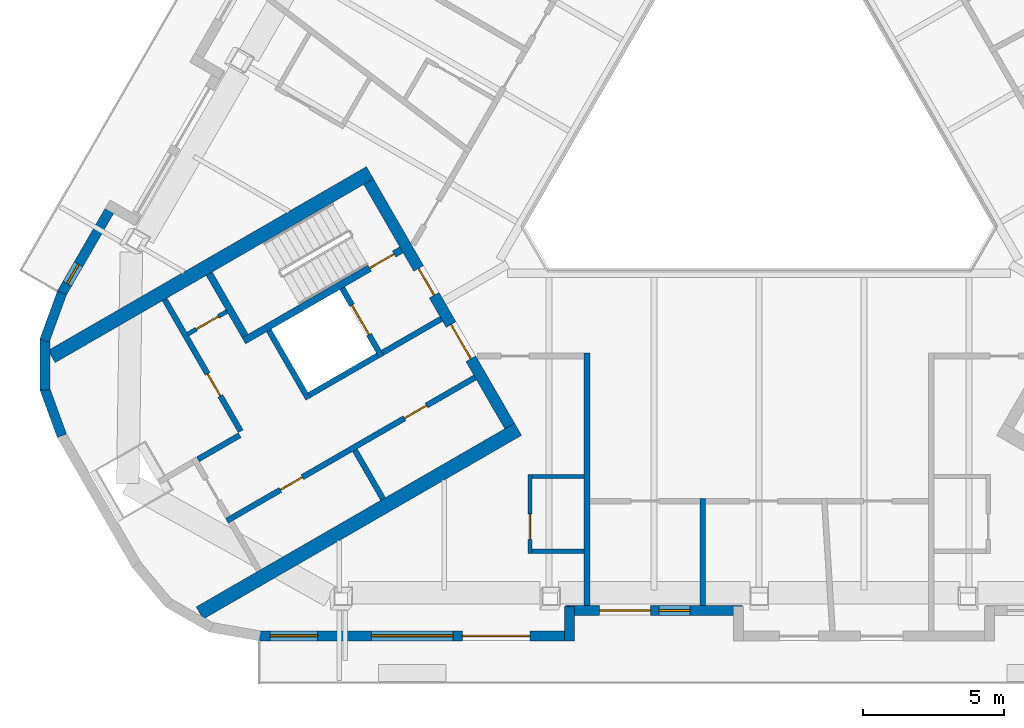
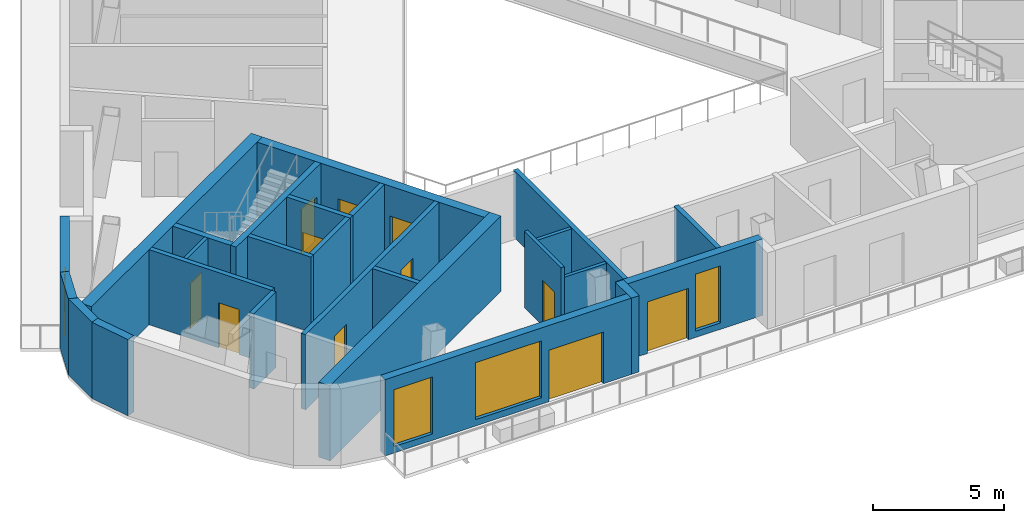
# One storey, part 3 of 13: 26 walls, 11 doors, 4 windows, 15 openings.
"""IFC4 building model written with IfcOpenShell, lengths in metres."""

from ifc_helpers import new_model, si_unit, direction, frame, frame_2d, origin, place, context, subcontext, project, spatial, rectangle, extrude, material, layer, layer_set, type_object, element, fill, save


model = new_model("IFC4")

# Units and contexts
model_context = context("Model", 3, precision=1e-05, world=origin(), true_north=direction((0.0, 1.0)))
body_context = subcontext(model_context, "Body", "Model", "MODEL_VIEW")
ifc_project = project(units=[si_unit("LENGTHUNIT", "METRE"), si_unit("AREAUNIT", "SQUARE_METRE"), si_unit("VOLUMEUNIT", "CUBIC_METRE"), si_unit("PLANEANGLEUNIT", "RADIAN"), si_unit("MASSUNIT", "GRAM", prefix="KILO")], contexts=[model_context])

# Site, building, storey
site_placement = place(None, origin())
site = spatial("IfcSite", under=ifc_project, at=site_placement, CompositionType="ELEMENT")
building_placement = place(site_placement, origin())
building = spatial("IfcBuilding", under=site, at=building_placement, Name="Apuvela Tower Hotel", CompositionType="ELEMENT")
storey_placement = place(building_placement, frame((0.0, 0.0, 276.300048828125)))
storey = spatial("IfcBuildingStorey", under=building, at=storey_placement, Name="L68", CompositionType="ELEMENT", Elevation=276.300048828125)

# Wall, openings, doors
ifc_material_1 = material(Name="Concrete C50/60", Category="concrete")
ifc_layer_1 = layer(ifc_material_1, 0.39990234375)
ifc_layer_set_1 = layer_set([ifc_layer_1], Name="COR-WALL-CORE-400")
wall_type_1 = type_object("IfcWallType", Name="COR-WALL-CORE-400", PredefinedType="SHEAR", material=ifc_layer_set_1)
wall_1_placement = place(storey_placement, frame((-13.844970703125, -2.219970703125, 0.0), z_axis=(0.0, 0.0, 1.0), x_axis=(0.500004234368, -0.866022959057, 0.0)))
wall_1 = element("IfcWall", 1, at=wall_1_placement, inside=storey, type_object=wall_type_1, Name="Core wall SW", PredefinedType="SHEAR", context=body_context, shape_type="SweptSolid", body=[
    extrude(rectangle(XDim=10.0, YDim=0.39990234375, at=frame_2d((5.0, 0.0))), origin(), (0.0, 0.0, 1.0), 3.5),
])
opening_1_placement = place(wall_1_placement, frame((3.550048828125, 0.0, 0.0)))
opening_1 = element("IfcOpeningElement", 2, at=opening_1_placement, cuts=wall_1, Name="Opening W-FD", PredefinedType="OPENING", context=body_context, shape_type="SweptSolid", body=[
    extrude(rectangle(XDim=1.10009765625, YDim=2.10009765625, at=frame_2d((0.550048828125, 1.050048828125))), frame((0.0, 0.2099609375, 0.0), z_axis=(0.0, -1.0, 0.0), x_axis=(1.0, 0.0, 0.0)), (0.0, 0.0, 1.0), 0.419921875),
])
opening_2_placement = place(wall_1_placement, frame((5.85009765625, 0.0, 0.0)))
opening_2 = element("IfcOpeningElement", 3, at=opening_2_placement, cuts=wall_1, Name="Opening W-GD", PredefinedType="OPENING", context=body_context, shape_type="SweptSolid", body=[
    extrude(rectangle(XDim=1.39990234375, YDim=2.10009765625, at=frame_2d((0.699951171875, 1.050048828125))), frame((0.0, 0.2099609375, 0.0), z_axis=(0.0, -1.0, 0.0), x_axis=(1.0, 0.0, 0.0)), (0.0, 0.0, 1.0), 0.419921875),
])
ifc_material_2 = material(Name="Steel fire door, powder coated", Category="steel")
door_type_1 = type_object("IfcDoorType", Name="COR-FD-1100", OperationType="NOTDEFINED", PredefinedType="DOOR", material=ifc_material_2)
door_1_placement = place(opening_1_placement, frame((1.10009765625, 0.0, 0.0), z_axis=(0.0, 0.0, 1.0), x_axis=(-1.0, 0.0, 0.0)))
door_1 = element("IfcDoor", 4, at=door_1_placement, inside=storey, type_object=door_type_1, Name="Firefighting lobby door W-FD", OperationType="SINGLE_SWING_LEFT", OverallHeight=2.10009765625, OverallWidth=1.10009765625, PredefinedType="DOOR", context=body_context, shape_type="SweptSolid", body=[
    extrude(rectangle(XDim=1.10009765625, YDim=2.10009765625, at=frame_2d((0.550048828125, 1.050048828125))), frame((0.0, 0.02490234375, 0.0), z_axis=(0.0, -1.0, 0.0), x_axis=(1.0, 0.0, 0.0)), (0.0, 0.0, 1.0), 0.050048828125),
])
fill(opening_1, door_1)
ifc_material_3 = material(Name="Glazed steel fire door", Category="steel")
door_type_2 = type_object("IfcDoorType", Name="COR-GD-1400", OperationType="DOUBLE_DOOR_SINGLE_SWING", PredefinedType="DOOR", material=ifc_material_3)
door_2_placement = place(opening_2_placement, frame((1.39990234375, 0.0, 0.0), z_axis=(0.0, 0.0, 1.0), x_axis=(-1.0, 0.0, 0.0)))
door_2 = element("IfcDoor", 5, at=door_2_placement, inside=storey, type_object=door_type_2, Name="Lift lobby door W-GD", OperationType="DOUBLE_DOOR_SINGLE_SWING", OverallHeight=2.10009765625, OverallWidth=1.39990234375, PredefinedType="DOOR", context=body_context, shape_type="SweptSolid", body=[
    extrude(rectangle(XDim=1.39990234375, YDim=2.10009765625, at=frame_2d((0.699951171875, 1.050048828125))), frame((0.0, 0.02490234375, 0.0), z_axis=(0.0, -1.0, 0.0), x_axis=(1.0, 0.0, 0.0)), (0.0, 0.0, 1.0), 0.050048828125),
])
fill(opening_2, door_2)

# Walls
ifc_layer_2 = layer(ifc_material_1, 0.5)
ifc_layer_set_2 = layer_set([ifc_layer_2], Name="COR-WALL-CORE-500")
wall_type_2 = type_object("IfcWallType", Name="COR-WALL-CORE-500", PredefinedType="SHEAR", material=ifc_layer_set_2)
for number, where, z_axis, x_axis, name in (
    (6, (-13.796630859375, -1.9033203125, 0.0), (0.0, 0.0, 1.0), (-0.866022106474, -0.500005711065, 0.0), "Core wall SW"),
    (7, (-8.546630859375, -10.99658203125, 0.0), (0.0, 0.0, 1.0), (-0.866030218785, -0.499991660082, 0.0), "Core wall SW"),
):
    element("IfcWall", number, at=place(storey_placement, frame(where, z_axis=z_axis, x_axis=x_axis)), inside=storey, type_object=wall_type_2, Name=name, PredefinedType="SHEAR", context=body_context, shape_type="SweptSolid", body=[
        extrude(rectangle(XDim=13.031494140625, YDim=0.5, at=frame_2d((6.515625, 0.0))), origin(), (0.0, 0.0, 1.0), 3.5),
    ])

# Wall, opening, door
ifc_material_4 = material(Name="Blockwork 150 mm plastered", Category="masonry")
ifc_layer_3 = layer(ifc_material_4, 0.14990234375)
ifc_layer_set_3 = layer_set([ifc_layer_3], Name="COR-WALL-PART-150")
wall_type_3 = type_object("IfcWallType", Name="COR-WALL-PART-150", PredefinedType="PARTITIONING", material=ifc_layer_set_3)
wall_2_placement = place(storey_placement, frame((-18.866455078125, -6.822265625, 0.0), z_axis=(0.0, 0.0, 1.0), x_axis=(-0.866028054938, -0.499995408039, 0.0)))
wall_2 = element("IfcWall", 8, at=wall_2_placement, inside=storey, type_object=wall_type_3, Name="Partition SW", PredefinedType="PARTITIONING", context=body_context, shape_type="SweptSolid", body=[
    extrude(rectangle(XDim=1.60009765625, YDim=0.14990234375, at=frame_2d((0.800048828125, 0.0))), origin(), (0.0, 0.0, 1.0), 3.5),
])
opening_3_placement = place(wall_2_placement, frame((0.35009765625, 0.0, 0.0)))
opening_3 = element("IfcOpeningElement", 9, at=opening_3_placement, cuts=wall_2, Name="Opening W-RD", PredefinedType="OPENING", context=body_context, shape_type="SweptSolid", body=[
    extrude(rectangle(XDim=0.89990234375, YDim=2.10009765625, at=frame_2d((0.449951171875, 1.050048828125))), frame((0.0, 0.0849609375, 0.0), z_axis=(0.0, -1.0, 0.0), x_axis=(1.0, 0.0, 0.0)), (0.0, 0.0, 1.0), 0.169921875),
])
ifc_material_5 = material(Name="Steel access door, powder coated", Category="steel")
door_type_3 = type_object("IfcDoorType", Name="COR-RD-900", OperationType="NOTDEFINED", PredefinedType="DOOR", material=ifc_material_5)
door_3_placement = place(opening_3_placement, frame((0.89990234375, 0.0, 0.0), z_axis=(0.0, 0.0, 1.0), x_axis=(-1.0, 0.0, 0.0)))
door_3 = element("IfcDoor", 10, at=door_3_placement, inside=storey, type_object=door_type_3, Name="Riser door W-RD", OperationType="SINGLE_SWING_RIGHT", OverallHeight=2.10009765625, OverallWidth=0.89990234375, PredefinedType="DOOR", context=body_context, shape_type="SweptSolid", body=[
    extrude(rectangle(XDim=0.89990234375, YDim=2.10009765625, at=frame_2d((0.449951171875, 1.050048828125))), frame((0.0, 0.02490234375, 0.0), z_axis=(0.0, -1.0, 0.0), x_axis=(1.0, 0.0, 0.0)), (0.0, 0.0, 1.0), 0.050048828125),
])
fill(opening_3, door_3)

ifc_material_6 = material(Name="Blockwork 200 mm plastered", Category="masonry")
ifc_layer_4 = layer(ifc_material_6, 0.199951171875)
ifc_layer_set_4 = layer_set([ifc_layer_4], Name="COR-WALL-PART-200")
wall_type_4 = type_object("IfcWallType", Name="COR-WALL-PART-200", PredefinedType="PARTITIONING", material=ifc_layer_set_4)
wall_3_placement = place(storey_placement, frame((-21.076171875, -6.39501953125, 0.0), z_axis=(0.0, 0.0, 1.0), x_axis=(0.50001468107, -0.866016927499, 0.0)))
wall_3 = element("IfcWall", 11, at=wall_3_placement, inside=storey, type_object=wall_type_4, Name="Partition SW", PredefinedType="PARTITIONING", context=body_context, shape_type="SweptSolid", body=[
    extrude(rectangle(XDim=5.399658203125, YDim=0.199951171875, at=frame_2d((2.69970703125, 0.0))), origin(), (0.0, 0.0, 1.0), 3.5),
])
opening_4_placement = place(wall_3_placement, frame((3.050048828125, 0.0, 0.0)))
opening_4 = element("IfcOpeningElement", 12, at=opening_4_placement, cuts=wall_3, Name="Opening W-RS1", PredefinedType="OPENING", context=body_context, shape_type="SweptSolid", body=[
    extrude(rectangle(XDim=0.89990234375, YDim=2.10009765625, at=frame_2d((0.449951171875, 1.050048828125))), frame((0.0, 0.10986328125, 0.0), z_axis=(0.0, -1.0, 0.0), x_axis=(1.0, 0.0, 0.0)), (0.0, 0.0, 1.0), 0.219970703125),
])
door_type_4 = type_object("IfcDoorType", Name="COR-DR-900", OperationType="NOTDEFINED", PredefinedType="DOOR", material=ifc_material_2)
door_4_placement = place(opening_4_placement, frame((0.89990234375, 0.0, 0.0), z_axis=(0.0, 0.0, 1.0), x_axis=(-1.0, 0.0, 0.0)))
door_4 = element("IfcDoor", 13, at=door_4_placement, inside=storey, type_object=door_type_4, Name="Store door W-RS1", OperationType="SINGLE_SWING_LEFT", OverallHeight=2.10009765625, OverallWidth=0.89990234375, PredefinedType="DOOR", context=body_context, shape_type="SweptSolid", body=[
    extrude(rectangle(XDim=0.89990234375, YDim=2.10009765625, at=frame_2d((0.449951171875, 1.050048828125))), frame((0.0, 0.02490234375, 0.0), z_axis=(0.0, -1.0, 0.0), x_axis=(1.0, 0.0, 0.0)), (0.0, 0.0, 1.0), 0.050048828125),
])
fill(opening_4, door_4)

# Wall
ifc_layer_5 = layer(ifc_material_1, 0.199951171875)
ifc_layer_set_5 = layer_set([ifc_layer_5], Name="COR-WALL-SHAFT-200")
wall_type_5 = type_object("IfcWallType", Name="COR-WALL-SHAFT-200", PredefinedType="SHEAR", material=ifc_layer_set_5)
wall_4_placement = place(storey_placement, frame((-17.38134765625, -7.49462890625, 0.0), z_axis=(0.0, 0.0, 1.0), x_axis=(0.500011755427, -0.866018616679, 0.0)))
element("IfcWall", 14, at=wall_4_placement, inside=storey, type_object=wall_type_5, Name="Shaft wall SW", PredefinedType="SHEAR", context=body_context, shape_type="SweptSolid", body=[
    extrude(rectangle(XDim=2.80029296875, YDim=0.199951171875, at=frame_2d((1.400146484375, 0.0))), origin(), (0.0, 0.0, 1.0), 3.5),
])

# Wall, opening, door
wall_5_placement = place(storey_placement, frame((-14.783203125, -5.99462890625, 0.0), z_axis=(0.0, 0.0, 1.0), x_axis=(0.49994636267, -0.866056369097, 0.0)))
wall_5 = element("IfcWall", 15, at=wall_5_placement, inside=storey, type_object=wall_type_5, Name="Shaft wall SW", PredefinedType="SHEAR", context=body_context, shape_type="SweptSolid", body=[
    extrude(rectangle(XDim=2.800048828125, YDim=0.199951171875, at=frame_2d((1.39990234375, 0.0))), origin(), (0.0, 0.0, 1.0), 3.5),
])
opening_5_placement = place(wall_5_placement, frame((0.699951171875, 0.0, 0.0)))
opening_5 = element("IfcOpeningElement", 16, at=opening_5_placement, cuts=wall_5, Name="Opening W-LD-FS2", PredefinedType="OPENING", context=body_context, shape_type="SweptSolid", body=[
    extrude(rectangle(XDim=1.199951171875, YDim=2.10009765625, at=frame_2d((0.60009765625, 1.050048828125))), frame((0.0, 0.10986328125, 0.0), z_axis=(0.0, -1.0, 0.0), x_axis=(1.0, 0.0, 0.0)), (0.0, 0.0, 1.0), 0.219970703125),
])
ifc_material_7 = material(Name="Stainless steel lift landing door", Category="steel")
door_type_5 = type_object("IfcDoorType", Name="COR-LD-1200", OperationType="DOUBLE_DOOR_SLIDING", PredefinedType="DOOR", material=ifc_material_7)
door_5_placement = place(opening_5_placement, origin())
door_5 = element("IfcDoor", 17, at=door_5_placement, inside=storey, type_object=door_type_5, Name="Lift landing door W-LD-FS2", OperationType="DOUBLE_DOOR_SLIDING", OverallHeight=2.10009765625, OverallWidth=1.199951171875, PredefinedType="DOOR", context=body_context, shape_type="SweptSolid", body=[
    extrude(rectangle(XDim=1.199951171875, YDim=2.10009765625, at=frame_2d((0.60009765625, 1.050048828125))), frame((0.0, 0.02490234375, 0.0), z_axis=(0.0, -1.0, 0.0), x_axis=(1.0, 0.0, 0.0)), (0.0, 0.0, 1.0), 0.050048828125),
])
fill(opening_5, door_5)

# Walls
wall_6_placement = place(storey_placement, frame((-13.519775390625, -8.383056640625, 0.0), z_axis=(0.0, 0.0, 1.0), x_axis=(-0.866034573852, -0.49998411664, 0.0)))
element("IfcWall", 18, at=wall_6_placement, inside=storey, type_object=wall_type_5, Name="Shaft wall SW", PredefinedType="SHEAR", context=body_context, shape_type="SweptSolid", body=[
    extrude(rectangle(XDim=2.7998046875, YDim=0.199951171875, at=frame_2d((1.39990234375, 0.0))), origin(), (0.0, 0.0, 1.0), 3.5),
])
wall_7_placement = place(storey_placement, frame((-11.26806640625, -7.0830078125, 0.0), z_axis=(0.0, 0.0, 1.0), x_axis=(-0.866050077142, -0.499957262057, 0.0)))
element("IfcWall", 19, at=wall_7_placement, inside=storey, type_object=wall_type_5, Name="Shaft wall SW", PredefinedType="SHEAR", context=body_context, shape_type="SweptSolid", body=[
    extrude(rectangle(XDim=2.400146484375, YDim=0.199951171875, at=frame_2d((1.2001953125, 0.0))), origin(), (0.0, 0.0, 1.0), 3.5),
])

# Wall, openings, doors
wall_8_placement = place(storey_placement, frame((-10.068115234375, -9.16162109375, 0.0), z_axis=(0.0, 0.0, 1.0), x_axis=(-0.866032725843, -0.499987317609, 0.0)))
wall_8 = element("IfcWall", 20, at=wall_8_placement, inside=storey, type_object=wall_type_5, Name="Shaft wall SW", PredefinedType="SHEAR", context=body_context, shape_type="SweptSolid", body=[
    extrude(rectangle(XDim=10.159912109375, YDim=0.199951171875, at=frame_2d((5.080078125, 0.0))), origin(), (0.0, 0.0, 1.0), 3.5),
])
opening_6_placement = place(wall_8_placement, frame((1.989990234375, 0.0, 0.0)))
opening_6 = element("IfcOpeningElement", 21, at=opening_6_placement, cuts=wall_8, Name="Opening W-RE1", PredefinedType="OPENING", context=body_context, shape_type="SweptSolid", body=[
    extrude(rectangle(XDim=0.89990234375, YDim=2.10009765625, at=frame_2d((0.449951171875, 1.050048828125))), frame((0.0, 0.10986328125, 0.0), z_axis=(0.0, -1.0, 0.0), x_axis=(1.0, 0.0, 0.0)), (0.0, 0.0, 1.0), 0.219970703125),
])
opening_7_placement = place(wall_8_placement, frame((7.070068359375, 0.0, 0.0)))
opening_7 = element("IfcOpeningElement", 22, at=opening_7_placement, cuts=wall_8, Name="Opening W-RE3", PredefinedType="OPENING", context=body_context, shape_type="SweptSolid", body=[
    extrude(rectangle(XDim=0.89990234375, YDim=2.10009765625, at=frame_2d((0.449951171875, 1.050048828125))), frame((0.0, 0.10986328125, 0.0), z_axis=(0.0, -1.0, 0.0), x_axis=(1.0, 0.0, 0.0)), (0.0, 0.0, 1.0), 0.219970703125),
])
door_6_placement = place(opening_6_placement, origin())
door_6 = element("IfcDoor", 23, at=door_6_placement, inside=storey, type_object=door_type_4, Name="Store door W-RE1", OperationType="SINGLE_SWING_LEFT", OverallHeight=2.10009765625, OverallWidth=0.89990234375, PredefinedType="DOOR", context=body_context, shape_type="SweptSolid", body=[
    extrude(rectangle(XDim=0.89990234375, YDim=2.10009765625, at=frame_2d((0.449951171875, 1.050048828125))), frame((0.0, 0.02490234375, 0.0), z_axis=(0.0, -1.0, 0.0), x_axis=(1.0, 0.0, 0.0)), (0.0, 0.0, 1.0), 0.050048828125),
])
fill(opening_6, door_6)
door_7_placement = place(opening_7_placement, origin())
door_7 = element("IfcDoor", 24, at=door_7_placement, inside=storey, type_object=door_type_4, Name="Store door W-RE3", OperationType="SINGLE_SWING_LEFT", OverallHeight=2.10009765625, OverallWidth=0.89990234375, PredefinedType="DOOR", context=body_context, shape_type="SweptSolid", body=[
    extrude(rectangle(XDim=0.89990234375, YDim=2.10009765625, at=frame_2d((0.449951171875, 1.050048828125))), frame((0.0, 0.02490234375, 0.0), z_axis=(0.0, -1.0, 0.0), x_axis=(1.0, 0.0, 0.0)), (0.0, 0.0, 1.0), 0.050048828125),
])
fill(opening_7, door_7)

# Walls
wall_9_placement = place(storey_placement, frame((-18.412841796875, -11.2080078125, 0.0), z_axis=(0.0, 0.0, 1.0), x_axis=(-0.866038183914, -0.499977863513, 0.0)))
element("IfcWall", 25, at=wall_9_placement, inside=storey, type_object=wall_type_5, Name="Shaft wall SW", PredefinedType="SHEAR", context=body_context, shape_type="SweptSolid", body=[
    extrude(rectangle(XDim=1.7099609375, YDim=0.199951171875, at=frame_2d((0.85498046875, 0.0))), origin(), (0.0, 0.0, 1.0), 3.5),
])
wall_10_placement = place(storey_placement, frame((-14.330810546875, -11.738037109375, 0.0), z_axis=(0.0, 0.0, 1.0), x_axis=(0.499972520799, -0.866041268327, 0.0)))
element("IfcWall", 26, at=wall_10_placement, inside=storey, type_object=wall_type_5, Name="Shaft wall SW", PredefinedType="SHEAR", context=body_context, shape_type="SweptSolid", body=[
    extrude(rectangle(XDim=2.0, YDim=0.199951171875, at=frame_2d((1.0, 0.0))), origin(), (0.0, 0.0, 1.0), 3.5),
])

# Wall, opening, door
ifc_layer_6 = layer(ifc_material_1, 0.25)
ifc_layer_set_6 = layer_set([ifc_layer_6], Name="COR-WALL-STAIR-250")
wall_type_6 = type_object("IfcWallType", Name="COR-WALL-STAIR-250", PredefinedType="SHEAR", material=ifc_layer_set_6)
wall_11_placement = place(storey_placement, frame((-12.6806640625, -4.636474609375, 0.0), z_axis=(0.0, 0.0, 1.0), x_axis=(-0.866021702275, -0.500006411147, 0.0)))
wall_11 = element("IfcWall", 27, at=wall_11_placement, inside=storey, type_object=wall_type_6, Name="Stair wall SW", PredefinedType="SHEAR", context=body_context, shape_type="SweptSolid", body=[
    extrude(rectangle(XDim=6.4501953125, YDim=0.25, at=frame_2d((3.22509765625, 0.0))), origin(), (0.0, 0.0, 1.0), 3.5),
])
opening_8_placement = place(wall_11_placement, frame((0.300048828125, 0.0, 0.0)))
opening_8 = element("IfcOpeningElement", 28, at=opening_8_placement, cuts=wall_11, Name="Opening W-SD", PredefinedType="OPENING", context=body_context, shape_type="SweptSolid", body=[
    extrude(rectangle(XDim=1.0, YDim=2.10009765625, at=frame_2d((0.5, 1.050048828125))), frame((0.0, 0.135009765625, 0.0), z_axis=(0.0, -1.0, 0.0), x_axis=(1.0, 0.0, 0.0)), (0.0, 0.0, 1.0), 0.27001953125),
])
door_type_6 = type_object("IfcDoorType", Name="COR-SD-1000", OperationType="NOTDEFINED", PredefinedType="DOOR", material=ifc_material_2)
door_8_placement = place(opening_8_placement, frame((1.0, 0.0, 0.0), z_axis=(0.0, 0.0, 1.0), x_axis=(-1.0, 0.0, 0.0)))
door_8 = element("IfcDoor", 29, at=door_8_placement, inside=storey, type_object=door_type_6, Name="Stair door W-SD", OperationType="SINGLE_SWING_LEFT", OverallHeight=2.10009765625, OverallWidth=1.0, PredefinedType="DOOR", context=body_context, shape_type="SweptSolid", body=[
    extrude(rectangle(XDim=1.0, YDim=2.10009765625, at=frame_2d((0.5, 1.050048828125))), frame((0.0, 0.02490234375, 0.0), z_axis=(0.0, -1.0, 0.0), x_axis=(1.0, 0.0, 0.0)), (0.0, 0.0, 1.0), 0.050048828125),
])
fill(opening_8, door_8)

# Wall
wall_12_placement = place(storey_placement, frame((-19.49560546875, -5.482421875, 0.0), z_axis=(0.0, 0.0, 1.0), x_axis=(0.499990435942, -0.866030925526, 0.0)))
element("IfcWall", 30, at=wall_12_placement, inside=storey, type_object=wall_type_6, Name="Stair wall SW", PredefinedType="SHEAR", context=body_context, shape_type="SweptSolid", body=[
    extrude(rectangle(XDim=2.5498046875, YDim=0.25, at=frame_2d((1.27490234375, 0.0))), origin(), (0.0, 0.0, 1.0), 3.5),
])

# Wall, opening, window
ifc_material_8 = material(Name="Concrete C40/50, dark pigmented precast panel", Category="concrete")
ifc_layer_7 = layer(ifc_material_8, 0.35009765625)
ifc_layer_set_7 = layer_set([ifc_layer_7], Name="ENV-WALL-350")
wall_type_7 = type_object("IfcWallType", Name="ENV-WALL-350", PredefinedType="SOLIDWALL", material=ifc_layer_set_7)
wall_13_placement = place(storey_placement, frame((-22.85986328125, -2.952880859375, 0.0), z_axis=(0.0, 0.0, 1.0), x_axis=(-0.50001992892, -0.866013897511, 0.0)))
wall_13 = element("IfcWall", 31, at=wall_13_placement, inside=storey, type_object=wall_type_7, Name="External wall L68-09", PredefinedType="SOLIDWALL", context=body_context, shape_type="SweptSolid", body=[
    extrude(rectangle(XDim=3.741455078125, YDim=0.35009765625, at=frame_2d((1.87060546875, 0.0))), origin(), (0.0, 0.0, 1.0), 3.550048828125),
])
opening_9_placement = place(wall_13_placement, frame((2.53076171875, 0.0, 0.300048828125)))
opening_9 = element("IfcOpeningElement", 32, at=opening_9_placement, cuts=wall_13, Name="Opening WN08", PredefinedType="OPENING", context=body_context, shape_type="SweptSolid", body=[
    extrude(rectangle(XDim=0.800048828125, YDim=2.64990234375, at=frame_2d((0.39990234375, 1.324951171875))), frame((0.0, 0.18505859375, 0.0), z_axis=(0.0, -1.0, 0.0), x_axis=(1.0, 0.0, 0.0)), (0.0, 0.0, 1.0), 0.3701171875),
])
ifc_material_9 = material(Name="Glass, dark tinted laminated insulated glazing unit", Category="glass")
window_type_1 = type_object("IfcWindowType", Name="ENV-WIN-800x2650", PartitioningType="SINGLE_PANEL", PredefinedType="WINDOW", material=ifc_material_9)
window_1_placement = place(opening_9_placement, origin())
window_1 = element("IfcWindow", 33, at=window_1_placement, inside=storey, type_object=window_type_1, Name="Window WN08", OverallHeight=2.64990234375, OverallWidth=0.800048828125, PartitioningType="SINGLE_PANEL", PredefinedType="WINDOW", context=body_context, shape_type="SweptSolid", body=[
    extrude(rectangle(XDim=0.800048828125, YDim=2.64990234375, at=frame_2d((0.39990234375, 1.324951171875))), frame((0.0, 0.030029296875, 0.0), z_axis=(0.0, -1.0, 0.0), x_axis=(1.0, 0.0, 0.0)), (0.0, 0.0, 1.0), 0.06005859375),
])
fill(opening_9, window_1)

# Walls
wall_14_placement = place(storey_placement, frame((-24.7177734375, -6.165283203125, 0.0), z_axis=(0.0, 0.0, 1.0), x_axis=(-0.34206975284, -0.939674562916, 0.0)))
element("IfcWall", 34, at=wall_14_placement, inside=storey, type_object=wall_type_7, Name="External wall L68-10", PredefinedType="SOLIDWALL", context=body_context, shape_type="SweptSolid", body=[
    extrude(rectangle(XDim=1.800048828125, YDim=0.35009765625, at=frame_2d((0.89990234375, 0.0))), origin(), (0.0, 0.0, 1.0), 3.550048828125),
])
wall_15_placement = place(storey_placement, frame((-25.32275390625, -7.796875, 0.0), z_axis=(0.0, 0.0, 1.0), x_axis=(0.0, -1.0, 0.0)))
element("IfcWall", 35, at=wall_15_placement, inside=storey, type_object=wall_type_7, Name="External wall L68-11", PredefinedType="SOLIDWALL", context=body_context, shape_type="SweptSolid", body=[
    extrude(rectangle(XDim=1.7998046875, YDim=0.35009765625, at=frame_2d((0.89990234375, 0.0))), origin(), (0.0, 0.0, 1.0), 3.550048828125),
])
wall_16_placement = place(storey_placement, frame((-25.33349609375, -9.53662109375, 0.0), z_axis=(0.0, 0.0, 1.0), x_axis=(0.34206975284, -0.939674562916, 0.0)))
element("IfcWall", 36, at=wall_16_placement, inside=storey, type_object=wall_type_7, Name="External wall L68-12", PredefinedType="SOLIDWALL", context=body_context, shape_type="SweptSolid", body=[
    extrude(rectangle(XDim=1.800048828125, YDim=0.35009765625, at=frame_2d((0.89990234375, 0.0))), origin(), (0.0, 0.0, 1.0), 3.550048828125),
])

# Wall, openings, door, windows
wall_17_placement = place(storey_placement, frame((-17.728759765625, -18.32080078125, 0.0), z_axis=(0.0, 0.0, 1.0), x_axis=(1.0, 0.0, 0.0)))
wall_17 = element("IfcWall", 37, at=wall_17_placement, inside=storey, type_object=wall_type_7, Name="External wall L68-17", PredefinedType="SOLIDWALL", context=body_context, shape_type="SweptSolid", body=[
    extrude(rectangle(XDim=11.185302734375, YDim=0.35009765625, at=frame_2d((5.5927734375, 0.0))), origin(), (0.0, 0.0, 1.0), 3.550048828125),
])
opening_10_placement = place(wall_17_placement, frame((0.380615234375, 0.0, 0.300048828125)))
opening_10 = element("IfcOpeningElement", 38, at=opening_10_placement, cuts=wall_17, Name="Opening WN17", PredefinedType="OPENING", context=body_context, shape_type="SweptSolid", body=[
    extrude(rectangle(XDim=1.699951171875, YDim=2.64990234375, at=frame_2d((0.85009765625, 1.324951171875))), frame((0.0, 0.18505859375, 0.0), z_axis=(0.0, -1.0, 0.0), x_axis=(1.0, 0.0, 0.0)), (0.0, 0.0, 1.0), 0.3701171875),
])
opening_11_placement = place(wall_17_placement, frame((7.205322265625, 0.0, 0.0)))
opening_11 = element("IfcOpeningElement", 39, at=opening_11_placement, cuts=wall_17, Name="Opening BD24", PredefinedType="OPENING", context=body_context, shape_type="SweptSolid", body=[
    extrude(rectangle(XDim=2.39990234375, YDim=2.39990234375, at=frame_2d((1.199951171875, 1.199951171875))), frame((0.0, 0.18505859375, 0.0), z_axis=(0.0, -1.0, 0.0), x_axis=(1.0, 0.0, 0.0)), (0.0, 0.0, 1.0), 0.3701171875),
])
opening_12_placement = place(wall_17_placement, frame((3.97900390625, 0.0, 0.300048828125)))
opening_12 = element("IfcOpeningElement", 40, at=opening_12_placement, cuts=wall_17, Name="Opening WN29", PredefinedType="OPENING", context=body_context, shape_type="SweptSolid", body=[
    extrude(rectangle(XDim=2.89990234375, YDim=2.64990234375, at=frame_2d((1.449951171875, 1.324951171875))), frame((0.0, 0.18505859375, 0.0), z_axis=(0.0, -1.0, 0.0), x_axis=(1.0, 0.0, 0.0)), (0.0, 0.0, 1.0), 0.3701171875),
])
ifc_material_10 = material(Name="Aluminium 6063-T6, dark bronze anodised frame with dark tinted laminated glass", Category="aluminium")
door_type_7 = type_object("IfcDoorType", Name="ENV-DOOR-BALCONY-2400x2400", OperationType="SLIDING_TO_LEFT", PredefinedType="DOOR", material=ifc_material_10)
door_9_placement = place(opening_11_placement, frame((2.39990234375, 0.0, 0.0), z_axis=(0.0, 0.0, 1.0), x_axis=(-1.0, 0.0, 0.0)))
door_9 = element("IfcDoor", 41, at=door_9_placement, inside=storey, type_object=door_type_7, Name="Balcony door BD24", OperationType="SLIDING_TO_LEFT", OverallHeight=2.39990234375, OverallWidth=2.39990234375, PredefinedType="DOOR", context=body_context, shape_type="SweptSolid", body=[
    extrude(rectangle(XDim=2.39990234375, YDim=2.39990234375, at=frame_2d((1.199951171875, 1.199951171875))), frame((0.0, 0.02490234375, 0.0), z_axis=(0.0, -1.0, 0.0), x_axis=(1.0, 0.0, 0.0)), (0.0, 0.0, 1.0), 0.050048828125),
])
fill(opening_11, door_9)
window_type_2 = type_object("IfcWindowType", Name="ENV-WIN-1700x2650", PartitioningType="SINGLE_PANEL", PredefinedType="WINDOW", material=ifc_material_9)
window_2_placement = place(opening_10_placement, origin())
window_2 = element("IfcWindow", 42, at=window_2_placement, inside=storey, type_object=window_type_2, Name="Window WN17", OverallHeight=2.64990234375, OverallWidth=1.699951171875, PartitioningType="SINGLE_PANEL", PredefinedType="WINDOW", context=body_context, shape_type="SweptSolid", body=[
    extrude(rectangle(XDim=1.699951171875, YDim=2.64990234375, at=frame_2d((0.85009765625, 1.324951171875))), frame((0.0, 0.030029296875, 0.0), z_axis=(0.0, -1.0, 0.0), x_axis=(1.0, 0.0, 0.0)), (0.0, 0.0, 1.0), 0.06005859375),
])
fill(opening_10, window_2)
window_type_3 = type_object("IfcWindowType", Name="ENV-WIN-2900x2650", PartitioningType="SINGLE_PANEL", PredefinedType="WINDOW", material=ifc_material_9)
window_3_placement = place(opening_12_placement, origin())
window_3 = element("IfcWindow", 43, at=window_3_placement, inside=storey, type_object=window_type_3, Name="Window WN29", OverallHeight=2.64990234375, OverallWidth=2.89990234375, PartitioningType="SINGLE_PANEL", PredefinedType="WINDOW", context=body_context, shape_type="SweptSolid", body=[
    extrude(rectangle(XDim=2.89990234375, YDim=2.64990234375, at=frame_2d((1.449951171875, 1.324951171875))), frame((0.0, 0.030029296875, 0.0), z_axis=(0.0, -1.0, 0.0), x_axis=(1.0, 0.0, 0.0)), (0.0, 0.0, 1.0), 0.06005859375),
])
fill(opening_12, window_3)

# Wall
wall_18_placement = place(storey_placement, frame((-6.718505859375, -18.495849609375, 0.0), z_axis=(0.0, 0.0, 1.0), x_axis=(0.0, 1.0, 0.0)))
element("IfcWall", 44, at=wall_18_placement, inside=storey, type_object=wall_type_7, Name="External wall L68-18", PredefinedType="SOLIDWALL", context=body_context, shape_type="SweptSolid", body=[
    extrude(rectangle(XDim=1.219970703125, YDim=0.35009765625, at=frame_2d((0.60986328125, 0.0))), origin(), (0.0, 0.0, 1.0), 3.550048828125),
])

# Wall, openings, door, window
wall_19_placement = place(storey_placement, frame((-6.863525390625, -17.4208984375, 0.0), z_axis=(0.0, 0.0, 1.0), x_axis=(1.0, 0.0, 0.0)))
wall_19 = element("IfcWall", 45, at=wall_19_placement, inside=storey, type_object=wall_type_7, Name="External wall L68-19", PredefinedType="SOLIDWALL", context=body_context, shape_type="SweptSolid", body=[
    extrude(rectangle(XDim=6.283447265625, YDim=0.35009765625, at=frame_2d((3.1416015625, 0.0))), origin(), (0.0, 0.0, 1.0), 3.550048828125),
])
opening_13_placement = place(wall_19_placement, frame((1.21337890625, 0.0, 0.0)))
opening_13 = element("IfcOpeningElement", 46, at=opening_13_placement, cuts=wall_19, Name="Opening BD18", PredefinedType="OPENING", context=body_context, shape_type="SweptSolid", body=[
    extrude(rectangle(XDim=1.800048828125, YDim=2.39990234375, at=frame_2d((0.89990234375, 1.199951171875))), frame((0.0, 0.18505859375, 0.0), z_axis=(0.0, -1.0, 0.0), x_axis=(1.0, 0.0, 0.0)), (0.0, 0.0, 1.0), 0.3701171875),
])
opening_14_placement = place(wall_19_placement, frame((3.3134765625, 0.0, 0.300048828125)))
opening_14 = element("IfcOpeningElement", 47, at=opening_14_placement, cuts=wall_19, Name="Opening WN11", PredefinedType="OPENING", context=body_context, shape_type="SweptSolid", body=[
    extrude(rectangle(XDim=1.10009765625, YDim=2.64990234375, at=frame_2d((0.550048828125, 1.324951171875))), frame((0.0, 0.18505859375, 0.0), z_axis=(0.0, -1.0, 0.0), x_axis=(1.0, 0.0, 0.0)), (0.0, 0.0, 1.0), 0.3701171875),
])
door_type_8 = type_object("IfcDoorType", Name="ENV-DOOR-BALCONY-1800x2400", OperationType="SLIDING_TO_LEFT", PredefinedType="DOOR", material=ifc_material_10)
door_10_placement = place(opening_13_placement, frame((1.800048828125, 0.0, 0.0), z_axis=(0.0, 0.0, 1.0), x_axis=(-1.0, 0.0, 0.0)))
door_10 = element("IfcDoor", 48, at=door_10_placement, inside=storey, type_object=door_type_8, Name="Balcony door BD18", OperationType="SLIDING_TO_LEFT", OverallHeight=2.39990234375, OverallWidth=1.800048828125, PredefinedType="DOOR", context=body_context, shape_type="SweptSolid", body=[
    extrude(rectangle(XDim=1.800048828125, YDim=2.39990234375, at=frame_2d((0.89990234375, 1.199951171875))), frame((0.0, 0.02490234375, 0.0), z_axis=(0.0, -1.0, 0.0), x_axis=(1.0, 0.0, 0.0)), (0.0, 0.0, 1.0), 0.050048828125),
])
fill(opening_13, door_10)
window_type_4 = type_object("IfcWindowType", Name="ENV-WIN-1100x2650", PartitioningType="SINGLE_PANEL", PredefinedType="WINDOW", material=ifc_material_9)
window_4_placement = place(opening_14_placement, origin())
window_4 = element("IfcWindow", 49, at=window_4_placement, inside=storey, type_object=window_type_4, Name="Window WN11", OverallHeight=2.64990234375, OverallWidth=1.10009765625, PartitioningType="SINGLE_PANEL", PredefinedType="WINDOW", context=body_context, shape_type="SweptSolid", body=[
    extrude(rectangle(XDim=1.10009765625, YDim=2.64990234375, at=frame_2d((0.550048828125, 1.324951171875))), frame((0.0, 0.030029296875, 0.0), z_axis=(0.0, -1.0, 0.0), x_axis=(1.0, 0.0, 0.0)), (0.0, 0.0, 1.0), 0.06005859375),
])
fill(opening_14, window_4)

# Walls
ifc_material_11 = material(Name="Gypsum board partition on twin steel stud", Category="steel")
ifc_layer_8 = layer(ifc_material_11, 0.199951171875)
ifc_layer_set_8 = layer_set([ifc_layer_8], Name="GST-PW1")
wall_type_8 = type_object("IfcWallType", Name="GST-PW1", PredefinedType="PARTITIONING", material=ifc_layer_set_8)
wall_20_placement = place(storey_placement, frame((-6.10009765625, -17.245849609375, 0.0), z_axis=(0.0, 0.0, 1.0), x_axis=(0.0, 1.0, 0.0)))
element("IfcWall", 50, at=wall_20_placement, inside=storey, type_object=wall_type_8, Name="L68 partition 01", PredefinedType="PARTITIONING", context=body_context, shape_type="SweptSolid", body=[
    extrude(rectangle(XDim=8.94580078125, YDim=0.199951171875, at=frame_2d((4.472900390625, 0.0))), origin(), (0.0, 0.0, 1.0), 3.099853515625),
])
wall_21_placement = place(storey_placement, frame((-2.0, -17.245849609375, 0.0), z_axis=(0.0, 0.0, 1.0), x_axis=(0.0, 1.0, 0.0)))
element("IfcWall", 51, at=wall_21_placement, inside=storey, type_object=wall_type_8, Name="L68 partition 02", PredefinedType="PARTITIONING", context=body_context, shape_type="SweptSolid", body=[
    extrude(rectangle(XDim=3.800048828125, YDim=0.199951171875, at=frame_2d((1.89990234375, 0.0))), origin(), (0.0, 0.0, 1.0), 3.099853515625),
])

# Wall, opening, door
ifc_material_12 = material(Name="Moisture-resistant gypsum board wet wall on steel stud", Category="steel")
ifc_layer_9 = layer(ifc_material_12, 0.14990234375)
ifc_layer_set_9 = layer_set([ifc_layer_9], Name="GST-PW3")
wall_type_9 = type_object("IfcWallType", Name="GST-PW3", PredefinedType="PARTITIONING", material=ifc_layer_set_9)
wall_22_placement = place(storey_placement, frame((-8.125, -12.60009765625, 0.0), z_axis=(0.0, 0.0, 1.0), x_axis=(0.0, -1.0, 0.0)))
wall_22 = element("IfcWall", 52, at=wall_22_placement, inside=storey, type_object=wall_type_9, Name="L68 partition 14", PredefinedType="PARTITIONING", context=body_context, shape_type="SweptSolid", body=[
    extrude(rectangle(XDim=2.7998046875, YDim=0.14990234375, at=frame_2d((1.39990234375, 0.0))), origin(), (0.0, 0.0, 1.0), 3.550048828125),
])
opening_15_placement = place(wall_22_placement, frame((1.39990234375, 0.0, 0.0)))
opening_15 = element("IfcOpeningElement", 53, at=opening_15_placement, cuts=wall_22, Name="Opening GD27-01", PredefinedType="OPENING", context=body_context, shape_type="SweptSolid", body=[
    extrude(rectangle(XDim=0.89990234375, YDim=2.10009765625, at=frame_2d((0.449951171875, 1.050048828125))), frame((0.0, 0.0849609375, 0.0), z_axis=(0.0, -1.0, 0.0), x_axis=(1.0, 0.0, 0.0)), (0.0, 0.0, 1.0), 0.169921875),
])
ifc_material_13 = material(Name="Timber door leaf in steel frame", Category="steel")
door_type_9 = type_object("IfcDoorType", Name="GST-D2", OperationType="NOTDEFINED", PredefinedType="DOOR", material=ifc_material_13)
door_11_placement = place(opening_15_placement, origin())
door_11 = element("IfcDoor", 54, at=door_11_placement, inside=storey, type_object=door_type_9, Name="Door L68-01", OperationType="SINGLE_SWING_RIGHT", OverallHeight=2.10009765625, OverallWidth=0.89990234375, PredefinedType="DOOR", context=body_context, shape_type="SweptSolid", body=[
    extrude(rectangle(XDim=0.89990234375, YDim=2.10009765625, at=frame_2d((0.449951171875, 1.050048828125))), frame((0.0, 0.02490234375, 0.0), z_axis=(0.0, -1.0, 0.0), x_axis=(1.0, 0.0, 0.0)), (0.0, 0.0, 1.0), 0.050048828125),
])
fill(opening_15, door_11)

# Walls
for number, where, z_axis, x_axis, name in (
    (55, (-8.050048828125, -15.324951171875, 0.0), (0.0, 0.0, 1.0), (1.0, 0.0, 0.0), "L68 partition 15"),
    (56, (-8.050048828125, -12.675048828125, 0.0), (0.0, 0.0, 1.0), (1.0, 0.0, 0.0), "L68 partition 16"),
):
    element("IfcWall", number, at=place(storey_placement, frame(where, z_axis=z_axis, x_axis=x_axis)), inside=storey, type_object=wall_type_9, Name=name, PredefinedType="PARTITIONING", context=body_context, shape_type="SweptSolid", body=[
        extrude(rectangle(XDim=1.85009765625, YDim=0.14990234375, at=frame_2d((0.925048828125, 0.0))), origin(), (0.0, 0.0, 1.0), 3.050048828125),
    ])

save(model, "model.ifc")
